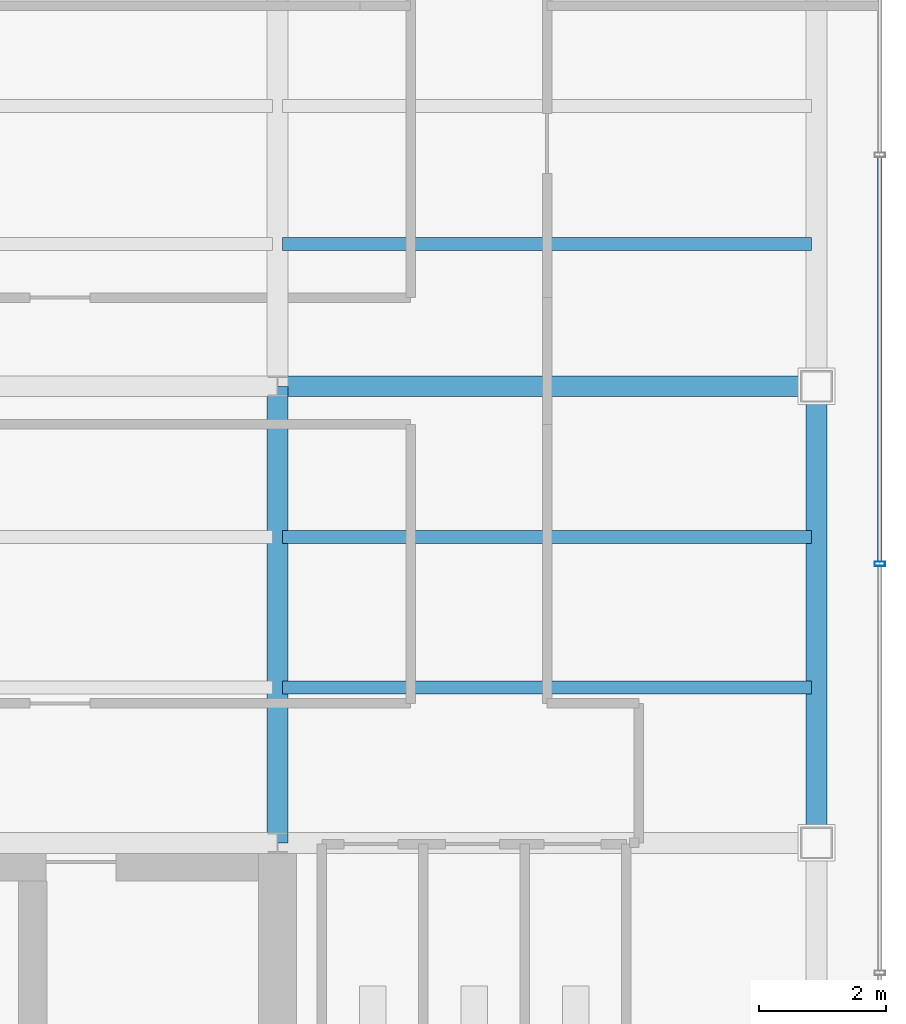
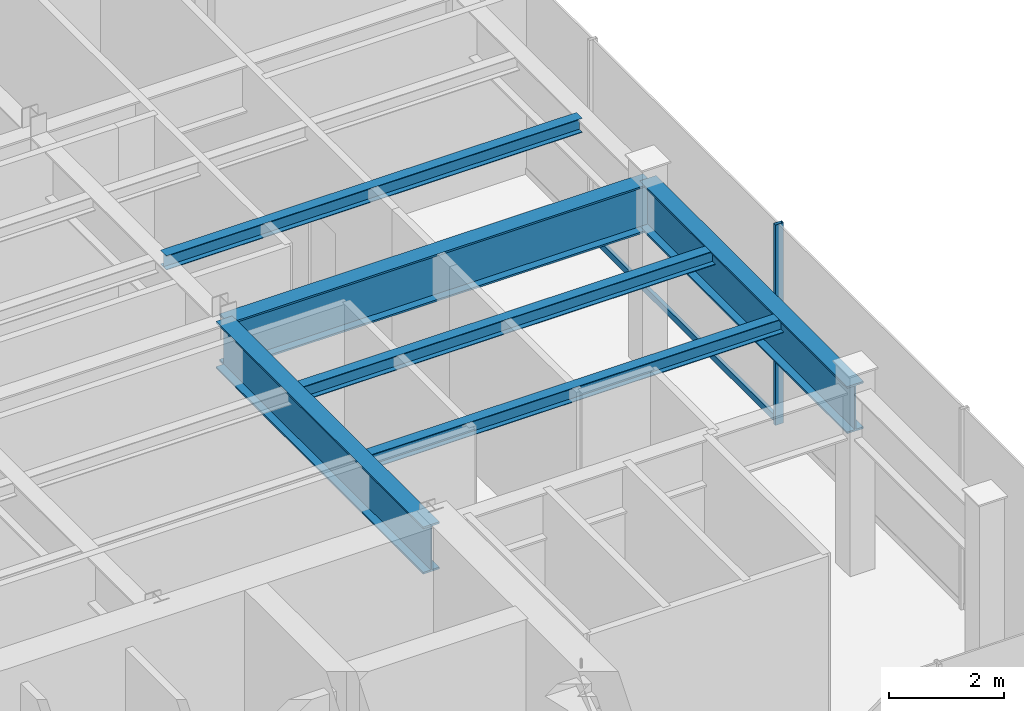
# One storey, part 11 of 24: 6 beams, 2 members, 1 element without a shape of its own.
"""IFC4 building model written with IfcOpenShell, lengths in metres."""

from ifc_helpers import new_model, si_unit, derived_unit, direction, frame, origin, origin_2d, place, context, subcontext, project, spatial, hollow_rectangle, i_section, extrude, source, transform, mapped, material, material_profile, profile_set, type_object, element, aggregate, save


model = new_model("IFC4")

# Units and contexts
model_context = context("Model", 3, precision=1e-05, world=origin(), true_north=direction((0.0, 1.0)))
body_context = subcontext(model_context, "Body", "Model", "MODEL_VIEW")
ifc_project = project(units=[si_unit("LENGTHUNIT", "METRE"), si_unit("AREAUNIT", "SQUARE_METRE"), si_unit("VOLUMEUNIT", "CUBIC_METRE"), si_unit("PLANEANGLEUNIT", "RADIAN"), si_unit("MASSUNIT", "GRAM", prefix="KILO"), derived_unit("THERMALTRANSMITTANCEUNIT", [(si_unit("POWERUNIT", "WATT"), 1), (si_unit("LENGTHUNIT", "METRE"), -2), (si_unit("THERMODYNAMICTEMPERATUREUNIT", "KELVIN"), -1)])], contexts=[model_context])

# Site, building, storey
site_placement = place(None, origin())
site = spatial("IfcSite", under=ifc_project, at=site_placement, CompositionType="ELEMENT")
building_placement = place(site_placement, origin())
building = spatial("IfcBuilding", under=site, at=building_placement, Name="Skarnbrae Concourse Arena and Tower", CompositionType="ELEMENT")
storey_placement = place(building_placement, frame((0.0, 0.0, 288.0)))
storey = spatial("IfcBuildingStorey", under=building, at=storey_placement, Name="L75", CompositionType="ELEMENT", Elevation=288.0)

# Beams
ifc_material_1 = material(Name="Steel CSA G40.21 350W", Category="steel")
ifc_material_profile_1 = material_profile(ifc_material_1, i_section(OverallWidth=0.327880859375, OverallDepth=1.0, WebThickness=0.02099609375, FlangeThickness=0.03759765625, at=origin_2d()), Name="W1000X371")
ifc_profile_set_1 = profile_set([ifc_material_profile_1], Name="Steel CSA G40.21 350W")
beam_type_1 = type_object("IfcBeamType", Name="BM-XFER-W1000X371", PredefinedType="BEAM", material=ifc_profile_set_1)
shared_shape_1 = source(origin(), body_context, "Body", "SweptSolid", [
    extrude(i_section(OverallWidth=0.327880859375, OverallDepth=1.0, WebThickness=0.02099609375, FlangeThickness=0.03759765625, at=origin_2d()), origin(), (0.0, 0.0, 1.0), 8.5),
])
beam_placement = place(storey_placement, frame((33.5, 21.199951171875, 3.35009765625), z_axis=(1.0, 0.0, 0.0), x_axis=(0.0, 1.0, 0.0)))
element("IfcBeam", 1, at=beam_placement, inside=storey, type_object=beam_type_1, Name="L75 Primary E-W girder Y21.2-6", PredefinedType="BEAM", context=body_context, shape_type="MappedRepresentation", body=[
    mapped(shared_shape_1, transform((0.0, 0.0, 0.0))),
])
shared_shape_2 = source(origin(), body_context, "Body", "SweptSolid", [
    extrude(i_section(OverallWidth=0.327880859375, OverallDepth=1.0, WebThickness=0.02099609375, FlangeThickness=0.03759765625, at=origin_2d()), origin(), (0.0, 0.0, 1.0), 7.199951171875),
])
for number, where, z_axis, x_axis, name in (
    (2, (33.5, 14.0, 3.35009765625), (0.0, 1.0, 0.0), (-1.0, 0.0, 0.0), "L75 Primary N-S girder X33.5-1"),
    (3, (42.0, 14.0, 3.35009765625), (0.0, 1.0, 0.0), (-1.0, 0.0, 0.0), "L75 Perimeter spandrel X42.0-2"),
):
    element("IfcBeam", number, at=place(storey_placement, frame(where, z_axis=z_axis, x_axis=x_axis)), inside=storey, type_object=beam_type_1, Name=name, PredefinedType="BEAM", context=body_context, shape_type="MappedRepresentation", body=[
        mapped(shared_shape_2, transform((0.0, 0.0, 0.0))),
    ])
ifc_material_profile_2 = material_profile(ifc_material_1, i_section(OverallWidth=0.202880859375, OverallDepth=0.302978515625, WebThickness=0.007568359375, FlangeThickness=0.01318359375, at=origin_2d()), Name="W310X60")
ifc_profile_set_2 = profile_set([ifc_material_profile_2], Name="Steel CSA G40.21 350W")
beam_type_2 = type_object("IfcBeamType", Name="BM-JOIST-W310X60", PredefinedType="JOIST", material=ifc_profile_set_2)
shared_shape_3 = source(origin(), body_context, "Body", "SweptSolid", [
    extrude(i_section(OverallWidth=0.202880859375, OverallDepth=0.302978515625, WebThickness=0.007568359375, FlangeThickness=0.01318359375, at=origin_2d()), origin(), (0.0, 0.0, 1.0), 8.33984375),
])
for number, where, z_axis, x_axis, name in (
    (4, (33.580078125, 16.447998046875, 3.698486328125), (1.0, 0.0, 0.0), (0.0, 1.0, 0.0), "L75 Secondary floor joist 1.1.6"),
    (5, (33.580078125, 18.823974609375, 3.698486328125), (1.0, 0.0, 0.0), (0.0, 1.0, 0.0), "L75 Secondary floor joist 1.2.6"),
    (6, (33.580078125, 23.444091796875, 3.698486328125), (1.0, 0.0, 0.0), (0.0, 1.0, 0.0), "L75 Secondary floor joist 2.1.6"),
):
    element("IfcBeam", number, at=place(storey_placement, frame(where, z_axis=z_axis, x_axis=x_axis)), inside=storey, type_object=beam_type_2, Name=name, PredefinedType="JOIST", context=body_context, shape_type="MappedRepresentation", body=[
        mapped(shared_shape_3, transform((0.0, 0.0, 0.0))),
    ])

# Curtain wall, members
ifc_material_2 = material(Name="Bronze anodised aluminium 6063-T6", Category="aluminium")
curtain_wall_type = type_object("IfcCurtainWallType", Name="CW-SYS-06-SKYLOBBY", PredefinedType="USERDEFINED", material=ifc_material_2)
curtain_wall_placement = place(storey_placement, origin())
curtain_wall = element("IfcCurtainWall", 7, at=curtain_wall_placement, inside=storey, type_object=curtain_wall_type, Name="L75 Unitised curtain wall CW-L75-E04", ObjectType="UNITISED CURTAIN WALL", PredefinedType="USERDEFINED")
ifc_material_profile_3 = material_profile(ifc_material_2, hollow_rectangle(XDim=0.070068359375, YDim=0.1650390625, WallThickness=0.00390625, at=origin_2d()), Name="ALU-MULL-70X165")
ifc_profile_set_3 = profile_set([ifc_material_profile_3], Name="Bronze anodised aluminium 6063-T6")
member_type_1 = type_object("IfcMemberType", Name="CWM-CW-06", PredefinedType="MULLION", material=ifc_profile_set_3)
shared_shape_4 = source(origin(), body_context, "Body", "SweptSolid", [
    extrude(hollow_rectangle(XDim=0.070068359375, YDim=0.1650390625, WallThickness=0.00390625, at=origin_2d()), origin(), (0.0, 0.0, 1.0), 4.25),
])
member_1_placement = place(storey_placement, frame((43.0, 18.39990234375, 0.0), z_axis=(0.0, 0.0, 1.0), x_axis=(0.0, 1.0, 0.0)))
member_1 = element("IfcMember", 8, at=member_1_placement, type_object=member_type_1, Name="CW-L75-E04 Mullion 3", PredefinedType="MULLION", context=body_context, shape_type="MappedRepresentation", body=[
    mapped(shared_shape_4, transform((0.0, 0.0, 0.0))),
])
ifc_material_profile_4 = material_profile(ifc_material_2, hollow_rectangle(XDim=0.070068359375, YDim=0.135009765625, WallThickness=0.00390625, at=origin_2d()), Name="ALU-TRAN-70X135")
ifc_profile_set_4 = profile_set([ifc_material_profile_4], Name="Bronze anodised aluminium 6063-T6")
member_type_2 = type_object("IfcMemberType", Name="CWT-CW-06", PredefinedType="USERDEFINED", material=ifc_profile_set_4)
shared_shape_5 = source(origin(), body_context, "Body", "SweptSolid", [
    extrude(hollow_rectangle(XDim=0.070068359375, YDim=0.135009765625, WallThickness=0.00390625, at=origin_2d()), origin(), (0.0, 0.0, 1.0), 6.3798828125),
])
member_2_placement = place(storey_placement, frame((43.0, 18.43505859375, 0.0673828125), z_axis=(0.0, 1.0, 0.0), x_axis=(-1.0, 0.0, 0.0)))
member_2 = element("IfcMember", 9, at=member_2_placement, type_object=member_type_2, Name="CW-L75-E04 Transom 3", ObjectType="TRANSOM", PredefinedType="USERDEFINED", context=body_context, shape_type="MappedRepresentation", body=[
    mapped(shared_shape_5, transform((0.0, 0.0, 0.0))),
])
aggregate(curtain_wall, [member_1, member_2])

save(model, "model.ifc")
